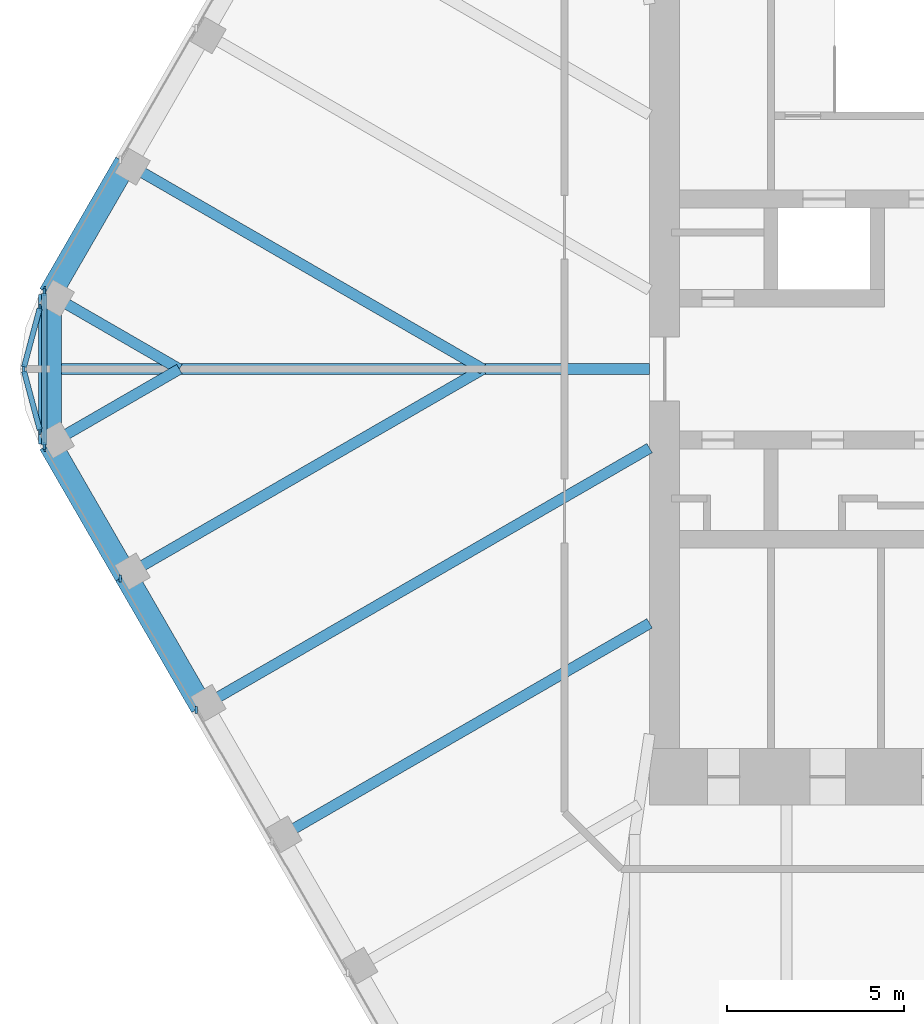
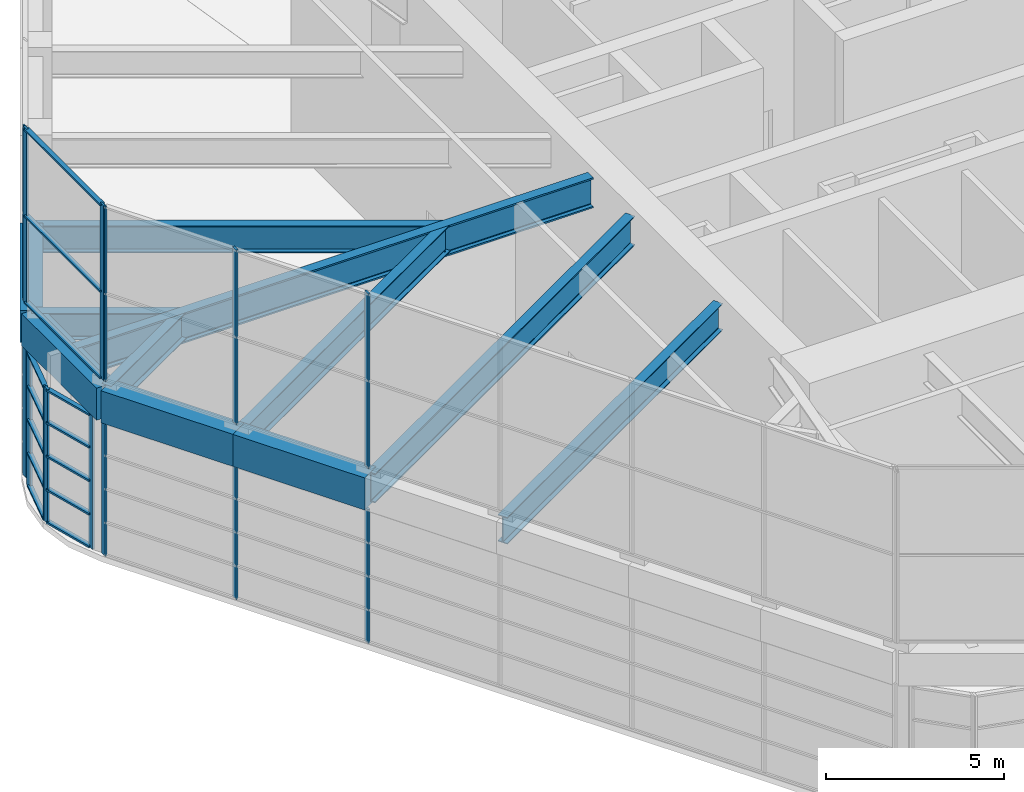
# One storey, part 4 of 17: 27 members, 11 beams, 7 elements without a shape of their own.
"""IFC4 building model written with IfcOpenShell, lengths in metres."""

import ifcopenshell
import ifcopenshell.guid

model = None  # the IFC model being written
_history = None  # IfcOwnerHistory: only IFC2X3 demands one
_inside = {}  # id of a spatial element -> (the spatial element, [elements in it])
_under = {}  # id of a project, library or spatial element -> (it, [spatial elements below it])
_declared = {}  # id of a project -> (the project, [libraries it declares])
_typed = {}  # id of a type object -> (the type object, [elements of that type])
_made_of = {}  # id of a material, layer set ... -> (it, [elements and type objects made of it])


def new_model(schema):
    """Start an empty IFC model of exactly this schema.

    Asked for "IFC4X3", IfcOpenShell would pick the latest addendum, in which some entities
    have other attributes; the version numbers below select the first issue.
    IFC2X3 requires an IfcOwnerHistory on every rooted entity: one is made here for all.
    """
    global model, _history
    if schema == "IFC4X3":
        model = ifcopenshell.file(schema_version=(4, 3, 0, 0))
    else:
        model = ifcopenshell.file(schema=schema)
    _inside.clear()
    _under.clear()
    _declared.clear()
    _typed.clear()
    _made_of.clear()
    _history = None
    if model.schema == "IFC2X3":
        org = make("IfcOrganization", Name="unknown")
        user = make(
            "IfcPersonAndOrganization",
            ThePerson=make("IfcPerson", FamilyName="unknown"),
            TheOrganization=org,
        )
        app = make(
            "IfcApplication",
            ApplicationDeveloper=org,
            Version="unknown",
            ApplicationFullName="unknown",
            ApplicationIdentifier="unknown",
        )
        _history = make(
            "IfcOwnerHistory",
            OwningUser=user,
            OwningApplication=app,
            ChangeAction="ADDED",
            CreationDate=0,
        )
    return model


def make(cls, **values):
    """One entity of the class cls with the attributes given. An attribute that is None is left unset."""
    return model.create_entity(
        cls, **{name: value for name, value in values.items() if value is not None}
    )


def rooted(cls, **values):
    """An entity with a GlobalId (a new one), such as an element, a storey or a relation."""
    return make(cls, GlobalId=ifcopenshell.guid.new(), OwnerHistory=_history, **values)


def si_unit(unit_type, name, prefix=None):
    """IfcSIUnit, for example si_unit("LENGTHUNIT", "METRE", prefix="MILLI")."""
    return make("IfcSIUnit", UnitType=unit_type, Prefix=prefix, Name=name)


def assignment(units):
    """IfcUnitAssignment: the units of a project."""
    return None if units is None else make("IfcUnitAssignment", Units=units)


def point(xyz):
    """IfcCartesianPoint."""
    return None if xyz is None else make("IfcCartesianPoint", Coordinates=xyz)


def direction(xyz):
    """IfcDirection."""
    return None if xyz is None else make("IfcDirection", DirectionRatios=xyz)


def frame(location, z_axis=None, x_axis=None):
    """IfcAxis2Placement3D, a coordinate frame: its origin and axes. An axis left out is left unset."""
    return make(
        "IfcAxis2Placement3D",
        Location=point(location),
        Axis=direction(z_axis),
        RefDirection=direction(x_axis),
    )


def frame_2d(location, x_axis=None):
    """IfcAxis2Placement2D, a coordinate frame in the plane: its origin and x axis."""
    return make(
        "IfcAxis2Placement2D", Location=point(location), RefDirection=direction(x_axis)
    )


def origin():
    """The frame at (0, 0, 0) with its axes left unset."""
    return frame((0.0, 0.0, 0.0))


def origin_2d():
    """The frame at (0, 0) in the plane with its x axis left unset."""
    return frame_2d((0.0, 0.0))


def place(relative_to, where):
    """IfcLocalPlacement: puts the frame where relative to a parent placement (None: the world)."""
    return make(
        "IfcLocalPlacement", PlacementRelTo=relative_to, RelativePlacement=where
    )


def context(
    kind, dimensions, precision=None, world=None, true_north=None, identifier=None
):
    """IfcGeometricRepresentationContext, for example the 3D "Model" context."""
    return make(
        "IfcGeometricRepresentationContext",
        ContextIdentifier=identifier,
        ContextType=kind,
        CoordinateSpaceDimension=dimensions,
        Precision=precision,
        WorldCoordinateSystem=world,
        TrueNorth=true_north,
    )


def subcontext(parent, identifier, kind, view, scale=None):
    """IfcGeometricRepresentationSubContext, for example "Body" below "Model"."""
    return make(
        "IfcGeometricRepresentationSubContext",
        ContextIdentifier=identifier,
        ContextType=kind,
        ParentContext=parent,
        TargetScale=scale,
        TargetView=view,
    )


def project(units=None, contexts=None):
    """IfcProject with its units and contexts."""
    return rooted(
        "IfcProject",
        Name="project",
        RepresentationContexts=contexts,
        UnitsInContext=assignment(units),
    )


def spatial(cls, under=None, at=None, **own):
    """A site, building, storey or space (cls), placed at a placement, below another one or the project."""
    s = rooted(cls, ObjectPlacement=at, **own)
    if under is not None:
        _under.setdefault(under.id(), (under, []))[1].append(s)
    return s


def profile(cls, at=None, kind="AREA", **sizes):
    """A parametric profile (cls). Its sizes go by their IFC names, for example OverallWidth=200.0."""
    return make(cls, ProfileType=kind, Position=at, **sizes)


def rectangle(**sizes):
    """IfcRectangleProfileDef."""
    return profile("IfcRectangleProfileDef", **sizes)


def i_section(**sizes):
    """IfcIShapeProfileDef."""
    return profile("IfcIShapeProfileDef", **sizes)


def extrude(swept, where, along, depth):
    """IfcExtrudedAreaSolid: the profile swept, set in the frame where, extruded along a direction by depth."""
    return make(
        "IfcExtrudedAreaSolid",
        SweptArea=swept,
        Position=where,
        ExtrudedDirection=direction(along),
        Depth=depth,
    )


def shape(context_of_items, identifier, shape_type, items):
    """IfcShapeRepresentation: the items that make up one representation, for example the "Body"."""
    return make(
        "IfcShapeRepresentation",
        ContextOfItems=context_of_items,
        RepresentationIdentifier=identifier,
        RepresentationType=shape_type,
        Items=items,
    )


def material(Name=None, Category=None):
    """IfcMaterial."""
    return make("IfcMaterial", Name=Name, Category=Category)


def material_profile(
    of_material, cross_section, Name=None, Category=None, Priority=None
):
    """IfcMaterialProfile: a cross section and its material."""
    return make(
        "IfcMaterialProfile",
        Name=Name,
        Material=of_material,
        Profile=cross_section,
        Priority=Priority,
        Category=Category,
    )


def profile_set(profiles, Name=None, composite=None):
    """IfcMaterialProfileSet."""
    return make(
        "IfcMaterialProfileSet",
        Name=Name,
        MaterialProfiles=profiles,
        CompositeProfile=composite,
    )


def made_of(thing, what):
    """Note that an element or type object is made of a material, layer set ...; save() writes the relation."""
    if what is not None:
        _made_of.setdefault(what.id(), (what, []))[1].append(thing)
    return thing


def type_object(cls, material=None, **own):
    """A type object (cls), such as IfcWallType, which elements share."""
    return made_of(rooted(cls, **own), material)


def element(
    cls,
    number,
    at=None,
    inside=None,
    cuts=None,
    type_object=None,
    material=None,
    context=None,
    identifier="Body",
    shape_type=None,
    held_by="IfcProductDefinitionShape",
    body=None,
    shapes=None,
    **own,
):
    """One element of the class cls, such as IfcWall. Its Tag is "e" and its number.

    at: its placement. inside: the storey or other place that contains it. cuts: it is an
    opening in that element (IfcRelVoidsElement). A single representation is given by context,
    identifier, shape_type and body (its items); several are given by shapes. held_by: the class
    of the entity that holds the representations. save() writes the other relations.
    """
    e = rooted(cls, Tag="e%d" % number, ObjectPlacement=at, **own)
    if body is not None:
        shapes = [shape(context, identifier, shape_type, body)]
    if shapes is not None:
        e.Representation = make(held_by, Representations=shapes)
    if inside is not None:
        _inside.setdefault(inside.id(), (inside, []))[1].append(e)
    if cuts is not None:
        rooted(
            "IfcRelVoidsElement", RelatingBuildingElement=cuts, RelatedOpeningElement=e
        )
    if type_object is not None:
        _typed.setdefault(type_object.id(), (type_object, []))[1].append(e)
    return made_of(e, material)


def aggregate(whole, parts):
    """IfcRelAggregates: a whole, such as a stair, and the parts it consists of."""
    return rooted("IfcRelAggregates", RelatingObject=whole, RelatedObjects=parts)


def save(model, path):
    """Write the relations noted so far, then the file.

    IfcRelAggregates (storeys below a building ...), IfcRelContainedInSpatialStructure (elements
    in a storey), IfcRelDefinesByType, IfcRelAssociatesMaterial and IfcRelDeclares: one each for
    every whole, place, type object, material and project.
    """
    for whole, parts in _under.values():
        aggregate(whole, parts)
    for where, things in _inside.values():
        rooted(
            "IfcRelContainedInSpatialStructure",
            RelatedElements=things,
            RelatingStructure=where,
        )
    for kind, things in _typed.values():
        rooted("IfcRelDefinesByType", RelatedObjects=things, RelatingType=kind)
    for what, things in _made_of.values():
        rooted("IfcRelAssociatesMaterial", RelatedObjects=things, RelatingMaterial=what)
    for by, libraries in _declared.values():
        rooted("IfcRelDeclares", RelatingContext=by, RelatedDefinitions=libraries)
    model.write(path)


model = new_model("IFC4")

# Units and contexts
model_context = context("Model", 3, precision=1e-05, world=origin(), true_north=direction((0.0, 1.0)))
body_context = subcontext(model_context, "Body", "Model", "MODEL_VIEW")
ifc_project = project(units=[si_unit("LENGTHUNIT", "METRE"), si_unit("AREAUNIT", "SQUARE_METRE"), si_unit("VOLUMEUNIT", "CUBIC_METRE"), si_unit("PLANEANGLEUNIT", "RADIAN"), si_unit("MASSUNIT", "GRAM", prefix="KILO")], contexts=[model_context])

# Site, building, storey
site_placement = place(None, origin())
site = spatial("IfcSite", under=ifc_project, at=site_placement, CompositionType="ELEMENT")
building_placement = place(site_placement, origin())
building = spatial("IfcBuilding", under=site, at=building_placement, Name="Tarfa Lantern Tower", CompositionType="ELEMENT")
storey_placement = place(building_placement, frame((0.0, 0.0, 402.300048828125)))
storey = spatial("IfcBuildingStorey", under=building, at=storey_placement, Name="L91", CompositionType="ELEMENT", Elevation=402.300048828125)

# Curtain wall, members
ifc_material_1 = material(Name="Aluminium framed curtain wall", Category="aluminium")
curtain_wall_type_1 = type_object("IfcCurtainWallType", Name="CW8 LANTERN GLAZING 4600", PredefinedType="USERDEFINED", material=ifc_material_1)
curtain_wall_1_placement = place(storey_placement, origin())
curtain_wall_1 = element("IfcCurtainWall", 1, at=curtain_wall_1_placement, inside=storey, type_object=curtain_wall_type_1, Name="CW8 NWSW1 L91", ObjectType="CURTAIN WALL", PredefinedType="USERDEFINED")
ifc_material_2 = material(Name="Aluminium mullion", Category="aluminium")
ifc_material_profile_1 = material_profile(ifc_material_2, rectangle(XDim=0.06494140625, YDim=0.199951171875, at=origin_2d()), Name="AL MULLION 65x200")
ifc_profile_set_1 = profile_set([ifc_material_profile_1], Name="Aluminium mullion")
member_type_1 = type_object("IfcMemberType", Name="CWM1 MULLION 65x200", PredefinedType="MULLION", material=ifc_profile_set_1)
member_1_placement = place(storey_placement, frame((-29.625244140625, 1.74267578125, 0.0), z_axis=(0.0, 0.0, 1.0), x_axis=(1.0, 0.0, 0.0)))
member_1 = element("IfcMember", 2, at=member_1_placement, type_object=member_type_1, Name="CW8 mullion 1", PredefinedType="MULLION", context=body_context, shape_type="SweptSolid", body=[
    extrude(rectangle(XDim=0.06494140625, YDim=0.199951171875, at=origin_2d()), origin(), (0.0, 0.0, 1.0), 4.599853515625),
])
member_2_placement = place(storey_placement, frame((-30.083740234375, 0.031494140625, 0.0), z_axis=(0.0, 0.0, 1.0), x_axis=(1.0, 0.0, 0.0)))
member_2 = element("IfcMember", 3, at=member_2_placement, type_object=member_type_1, Name="CW8 mullion 2", PredefinedType="MULLION", context=body_context, shape_type="SweptSolid", body=[
    extrude(rectangle(XDim=0.06494140625, YDim=0.199951171875, at=origin_2d()), origin(), (0.0, 0.0, 1.0), 4.599853515625),
])

curtain_wall_2_placement = place(storey_placement, origin())
curtain_wall_2 = element("IfcCurtainWall", 4, at=curtain_wall_2_placement, inside=storey, type_object=curtain_wall_type_1, Name="CW8 NWSW2 L91", ObjectType="CURTAIN WALL", PredefinedType="USERDEFINED")
member_3_placement = place(storey_placement, frame((-30.083740234375, -0.031494140625, 0.0), z_axis=(0.0, 0.0, 1.0), x_axis=(1.0, 0.0, 0.0)))
member_3 = element("IfcMember", 5, at=member_3_placement, type_object=member_type_1, Name="CW8 mullion 1", PredefinedType="MULLION", context=body_context, shape_type="SweptSolid", body=[
    extrude(rectangle(XDim=0.06494140625, YDim=0.199951171875, at=origin_2d()), origin(), (0.0, 0.0, 1.0), 4.599853515625),
])
member_4_placement = place(storey_placement, frame((-29.625244140625, -1.74267578125, 0.0), z_axis=(0.0, 0.0, 1.0), x_axis=(1.0, 0.0, 0.0)))
member_4 = element("IfcMember", 6, at=member_4_placement, type_object=member_type_1, Name="CW8 mullion 2", PredefinedType="MULLION", context=body_context, shape_type="SweptSolid", body=[
    extrude(rectangle(XDim=0.06494140625, YDim=0.199951171875, at=origin_2d()), origin(), (0.0, 0.0, 1.0), 4.599853515625),
])

# Curtain wall, member
curtain_wall_3_placement = place(storey_placement, origin())
curtain_wall_3 = element("IfcCurtainWall", 7, at=curtain_wall_3_placement, inside=storey, type_object=curtain_wall_type_1, Name="CW8 NW L91", ObjectType="CURTAIN WALL", PredefinedType="USERDEFINED")
member_5_placement = place(storey_placement, frame((-29.486328125, 2.22802734375, 0.0), z_axis=(0.0, 0.0, 1.0), x_axis=(1.0, 0.0, 0.0)))
member_5 = element("IfcMember", 8, at=member_5_placement, type_object=member_type_1, Name="CW8 mullion 7", PredefinedType="MULLION", context=body_context, shape_type="SweptSolid", body=[
    extrude(rectangle(XDim=0.06494140625, YDim=0.199951171875, at=origin_2d()), origin(), (0.0, 0.0, 1.0), 4.599853515625),
])
aggregate(curtain_wall_3, [member_5])

# Curtain wall, members
curtain_wall_4_placement = place(storey_placement, origin())
curtain_wall_4 = element("IfcCurtainWall", 9, at=curtain_wall_4_placement, inside=storey, type_object=curtain_wall_type_1, Name="CW8 SW L91", ObjectType="CURTAIN WALL", PredefinedType="USERDEFINED")
member_6_placement = place(storey_placement, frame((-29.486328125, -2.22802734375, 0.0), z_axis=(0.0, 0.0, 1.0), x_axis=(1.0, 0.0, 0.0)))
member_6 = element("IfcMember", 10, at=member_6_placement, type_object=member_type_1, Name="CW8 mullion 1", PredefinedType="MULLION", context=body_context, shape_type="SweptSolid", body=[
    extrude(rectangle(XDim=0.06494140625, YDim=0.199951171875, at=origin_2d()), origin(), (0.0, 0.0, 1.0), 4.599853515625),
])
member_7_placement = place(storey_placement, frame((-27.361572265625, -5.908447265625, 0.0), z_axis=(0.0, 0.0, 1.0), x_axis=(1.0, 0.0, 0.0)))
member_7 = element("IfcMember", 11, at=member_7_placement, type_object=member_type_1, Name="CW8 mullion 2", PredefinedType="MULLION", context=body_context, shape_type="SweptSolid", body=[
    extrude(rectangle(XDim=0.06494140625, YDim=0.199951171875, at=origin_2d()), origin(), (0.0, 0.0, 1.0), 4.599853515625),
])
member_8_placement = place(storey_placement, frame((-25.220703125, -9.61669921875, 0.0), z_axis=(0.0, 0.0, 1.0), x_axis=(1.0, 0.0, 0.0)))
member_8 = element("IfcMember", 12, at=member_8_placement, type_object=member_type_1, Name="CW8 mullion 3", PredefinedType="MULLION", context=body_context, shape_type="SweptSolid", body=[
    extrude(rectangle(XDim=0.06494140625, YDim=0.199951171875, at=origin_2d()), origin(), (0.0, 0.0, 1.0), 4.599853515625),
])
aggregate(curtain_wall_4, [member_6, member_7, member_8])

# Curtain wall, member
curtain_wall_type_2 = type_object("IfcCurtainWallType", Name="CW9 CROWN SCREEN GLAZING 6000", PredefinedType="USERDEFINED", material=ifc_material_1)
curtain_wall_5_placement = place(storey_placement, origin())
curtain_wall_5 = element("IfcCurtainWall", 13, at=curtain_wall_5_placement, inside=storey, type_object=curtain_wall_type_2, Name="CW9 NW L91", ObjectType="CURTAIN WALL", PredefinedType="USERDEFINED")
member_9_placement = place(storey_placement, frame((-29.486328125, 2.22802734375, 6.0), z_axis=(0.0, 0.0, 1.0), x_axis=(1.0, 0.0, 0.0)))
member_9 = element("IfcMember", 14, at=member_9_placement, type_object=member_type_1, Name="CW9 mullion 7", PredefinedType="MULLION", context=body_context, shape_type="SweptSolid", body=[
    extrude(rectangle(XDim=0.06494140625, YDim=0.199951171875, at=origin_2d()), origin(), (0.0, 0.0, 1.0), 6.0),
])
aggregate(curtain_wall_5, [member_9])

# Curtain wall, members
curtain_wall_6_placement = place(storey_placement, origin())
curtain_wall_6 = element("IfcCurtainWall", 15, at=curtain_wall_6_placement, inside=storey, type_object=curtain_wall_type_2, Name="CW9 SW L91", ObjectType="CURTAIN WALL", PredefinedType="USERDEFINED")
member_10_placement = place(storey_placement, frame((-29.486328125, -2.22802734375, 6.0), z_axis=(0.0, 0.0, 1.0), x_axis=(1.0, 0.0, 0.0)))
member_10 = element("IfcMember", 16, at=member_10_placement, type_object=member_type_1, Name="CW9 mullion 1", PredefinedType="MULLION", context=body_context, shape_type="SweptSolid", body=[
    extrude(rectangle(XDim=0.06494140625, YDim=0.199951171875, at=origin_2d()), origin(), (0.0, 0.0, 1.0), 6.0),
])
member_11_placement = place(storey_placement, frame((-27.361572265625, -5.908447265625, 6.0), z_axis=(0.0, 0.0, 1.0), x_axis=(1.0, 0.0, 0.0)))
member_11 = element("IfcMember", 17, at=member_11_placement, type_object=member_type_1, Name="CW9 mullion 2", PredefinedType="MULLION", context=body_context, shape_type="SweptSolid", body=[
    extrude(rectangle(XDim=0.06494140625, YDim=0.199951171875, at=origin_2d()), origin(), (0.0, 0.0, 1.0), 6.0),
])
member_12_placement = place(storey_placement, frame((-25.220703125, -9.61669921875, 6.0), z_axis=(0.0, 0.0, 1.0), x_axis=(1.0, 0.0, 0.0)))
member_12 = element("IfcMember", 18, at=member_12_placement, type_object=member_type_1, Name="CW9 mullion 3", PredefinedType="MULLION", context=body_context, shape_type="SweptSolid", body=[
    extrude(rectangle(XDim=0.06494140625, YDim=0.199951171875, at=origin_2d()), origin(), (0.0, 0.0, 1.0), 6.0),
])
aggregate(curtain_wall_6, [member_10, member_11, member_12])

curtain_wall_7_placement = place(storey_placement, origin())
curtain_wall_7 = element("IfcCurtainWall", 19, at=curtain_wall_7_placement, inside=storey, type_object=curtain_wall_type_2, Name="CW9 NWSW L91", ObjectType="CURTAIN WALL", PredefinedType="USERDEFINED")
member_13_placement = place(storey_placement, frame((-29.502685546875, 2.16748046875, 6.0), z_axis=(0.0, 0.0, 1.0), x_axis=(1.0, 0.0, 0.0)))
member_13 = element("IfcMember", 20, at=member_13_placement, type_object=member_type_1, Name="CW9 mullion 1", PredefinedType="MULLION", context=body_context, shape_type="SweptSolid", body=[
    extrude(rectangle(XDim=0.06494140625, YDim=0.199951171875, at=origin_2d()), origin(), (0.0, 0.0, 1.0), 6.0),
])
member_14_placement = place(storey_placement, frame((-29.502685546875, -2.16748046875, 6.0), z_axis=(0.0, 0.0, 1.0), x_axis=(1.0, 0.0, 0.0)))
member_14 = element("IfcMember", 21, at=member_14_placement, type_object=member_type_1, Name="CW9 mullion 2", PredefinedType="MULLION", context=body_context, shape_type="SweptSolid", body=[
    extrude(rectangle(XDim=0.06494140625, YDim=0.199951171875, at=origin_2d()), origin(), (0.0, 0.0, 1.0), 6.0),
])

# Member
ifc_material_3 = material(Name="Aluminium transom", Category="aluminium")
ifc_material_profile_2 = material_profile(ifc_material_3, rectangle(XDim=0.14990234375, YDim=0.06494140625, at=origin_2d()), Name="AL TRANSOM 150x65")
ifc_profile_set_2 = profile_set([ifc_material_profile_2], Name="Aluminium transom")
member_type_2 = type_object("IfcMemberType", Name="CWT1 TRANSOM 150x65", PredefinedType="USERDEFINED", material=ifc_profile_set_2)
member_15_placement = place(storey_placement, frame((-29.633544921875, 1.71142578125, 0.032470703125), z_axis=(-0.258757534625, -0.965942305873, 0.0), x_axis=(0.965942305873, -0.258757534625, 0.0)))
member_15 = element("IfcMember", 22, at=member_15_placement, type_object=member_type_2, Name="CW8 transom 1.1", ObjectType="TRANSOM", PredefinedType="USERDEFINED", context=body_context, shape_type="SweptSolid", body=[
    extrude(rectangle(XDim=0.14990234375, YDim=0.06494140625, at=origin_2d()), origin(), (0.0, 0.0, 1.0), 1.706787109375),
])

member_16_placement = place(storey_placement, frame((-29.633544921875, 1.71142578125, 1.14990234375), z_axis=(-0.258757534625, -0.965942305873, 0.0), x_axis=(0.965942305873, -0.258757534625, 0.0)))
member_16 = element("IfcMember", 23, at=member_16_placement, type_object=member_type_2, Name="CW8 transom 1.2", ObjectType="TRANSOM", PredefinedType="USERDEFINED", context=body_context, shape_type="SweptSolid", body=[
    extrude(rectangle(XDim=0.14990234375, YDim=0.06494140625, at=origin_2d()), origin(), (0.0, 0.0, 1.0), 1.706787109375),
])

member_17_placement = place(storey_placement, frame((-29.633544921875, 1.71142578125, 2.300048828125), z_axis=(-0.258757534625, -0.965942305873, 0.0), x_axis=(0.965942305873, -0.258757534625, 0.0)))
member_17 = element("IfcMember", 24, at=member_17_placement, type_object=member_type_2, Name="CW8 transom 1.3", ObjectType="TRANSOM", PredefinedType="USERDEFINED", context=body_context, shape_type="SweptSolid", body=[
    extrude(rectangle(XDim=0.14990234375, YDim=0.06494140625, at=origin_2d()), origin(), (0.0, 0.0, 1.0), 1.706787109375),
])

member_18_placement = place(storey_placement, frame((-29.633544921875, 1.71142578125, 3.449951171875), z_axis=(-0.258757534625, -0.965942305873, 0.0), x_axis=(0.965942305873, -0.258757534625, 0.0)))
member_18 = element("IfcMember", 25, at=member_18_placement, type_object=member_type_2, Name="CW8 transom 1.4", ObjectType="TRANSOM", PredefinedType="USERDEFINED", context=body_context, shape_type="SweptSolid", body=[
    extrude(rectangle(XDim=0.14990234375, YDim=0.06494140625, at=origin_2d()), origin(), (0.0, 0.0, 1.0), 1.706787109375),
])

member_19_placement = place(storey_placement, frame((-29.633544921875, 1.71142578125, 4.5673828125), z_axis=(-0.258757534625, -0.965942305873, 0.0), x_axis=(0.965942305873, -0.258757534625, 0.0)))
member_19 = element("IfcMember", 26, at=member_19_placement, type_object=member_type_2, Name="CW8 transom 1.5", ObjectType="TRANSOM", PredefinedType="USERDEFINED", context=body_context, shape_type="SweptSolid", body=[
    extrude(rectangle(XDim=0.14990234375, YDim=0.06494140625, at=origin_2d()), origin(), (0.0, 0.0, 1.0), 1.706787109375),
])

aggregate(curtain_wall_1, [member_1, member_2, member_15, member_16, member_17, member_18, member_19])

member_20_placement = place(storey_placement, frame((-30.0751953125, -0.062744140625, 0.032470703125), z_axis=(0.258757534625, -0.965942305873, 0.0), x_axis=(0.965942305873, 0.258757534625, 0.0)))
member_20 = element("IfcMember", 27, at=member_20_placement, type_object=member_type_2, Name="CW8 transom 1.1", ObjectType="TRANSOM", PredefinedType="USERDEFINED", context=body_context, shape_type="SweptSolid", body=[
    extrude(rectangle(XDim=0.14990234375, YDim=0.06494140625, at=origin_2d()), origin(), (0.0, 0.0, 1.0), 1.706787109375),
])

member_21_placement = place(storey_placement, frame((-30.0751953125, -0.062744140625, 1.14990234375), z_axis=(0.258757534625, -0.965942305873, 0.0), x_axis=(0.965942305873, 0.258757534625, 0.0)))
member_21 = element("IfcMember", 28, at=member_21_placement, type_object=member_type_2, Name="CW8 transom 1.2", ObjectType="TRANSOM", PredefinedType="USERDEFINED", context=body_context, shape_type="SweptSolid", body=[
    extrude(rectangle(XDim=0.14990234375, YDim=0.06494140625, at=origin_2d()), origin(), (0.0, 0.0, 1.0), 1.706787109375),
])

member_22_placement = place(storey_placement, frame((-30.0751953125, -0.062744140625, 2.300048828125), z_axis=(0.258757534625, -0.965942305873, 0.0), x_axis=(0.965942305873, 0.258757534625, 0.0)))
member_22 = element("IfcMember", 29, at=member_22_placement, type_object=member_type_2, Name="CW8 transom 1.3", ObjectType="TRANSOM", PredefinedType="USERDEFINED", context=body_context, shape_type="SweptSolid", body=[
    extrude(rectangle(XDim=0.14990234375, YDim=0.06494140625, at=origin_2d()), origin(), (0.0, 0.0, 1.0), 1.706787109375),
])

member_23_placement = place(storey_placement, frame((-30.0751953125, -0.062744140625, 3.449951171875), z_axis=(0.258757534625, -0.965942305873, 0.0), x_axis=(0.965942305873, 0.258757534625, 0.0)))
member_23 = element("IfcMember", 30, at=member_23_placement, type_object=member_type_2, Name="CW8 transom 1.4", ObjectType="TRANSOM", PredefinedType="USERDEFINED", context=body_context, shape_type="SweptSolid", body=[
    extrude(rectangle(XDim=0.14990234375, YDim=0.06494140625, at=origin_2d()), origin(), (0.0, 0.0, 1.0), 1.706787109375),
])

member_24_placement = place(storey_placement, frame((-30.0751953125, -0.062744140625, 4.5673828125), z_axis=(0.258757534625, -0.965942305873, 0.0), x_axis=(0.965942305873, 0.258757534625, 0.0)))
member_24 = element("IfcMember", 31, at=member_24_placement, type_object=member_type_2, Name="CW8 transom 1.5", ObjectType="TRANSOM", PredefinedType="USERDEFINED", context=body_context, shape_type="SweptSolid", body=[
    extrude(rectangle(XDim=0.14990234375, YDim=0.06494140625, at=origin_2d()), origin(), (0.0, 0.0, 1.0), 1.706787109375),
])

aggregate(curtain_wall_2, [member_3, member_4, member_20, member_21, member_22, member_23, member_24])

member_25_placement = place(storey_placement, frame((-29.502685546875, 2.135009765625, 6.032470703125), z_axis=(0.0, -1.0, 0.0), x_axis=(1.0, 0.0, 0.0)))
member_25 = element("IfcMember", 32, at=member_25_placement, type_object=member_type_2, Name="CW9 transom 1.1", ObjectType="TRANSOM", PredefinedType="USERDEFINED", context=body_context, shape_type="SweptSolid", body=[
    extrude(rectangle(XDim=0.14990234375, YDim=0.06494140625, at=origin_2d()), origin(), (0.0, 0.0, 1.0), 4.27001953125),
])

member_26_placement = place(storey_placement, frame((-29.502685546875, 2.135009765625, 9.0), z_axis=(0.0, -1.0, 0.0), x_axis=(1.0, 0.0, 0.0)))
member_26 = element("IfcMember", 33, at=member_26_placement, type_object=member_type_2, Name="CW9 transom 1.2", ObjectType="TRANSOM", PredefinedType="USERDEFINED", context=body_context, shape_type="SweptSolid", body=[
    extrude(rectangle(XDim=0.14990234375, YDim=0.06494140625, at=origin_2d()), origin(), (0.0, 0.0, 1.0), 4.27001953125),
])

member_27_placement = place(storey_placement, frame((-29.502685546875, 2.135009765625, 11.967529296875), z_axis=(0.0, -1.0, 0.0), x_axis=(1.0, 0.0, 0.0)))
member_27 = element("IfcMember", 34, at=member_27_placement, type_object=member_type_2, Name="CW9 transom 1.3", ObjectType="TRANSOM", PredefinedType="USERDEFINED", context=body_context, shape_type="SweptSolid", body=[
    extrude(rectangle(XDim=0.14990234375, YDim=0.06494140625, at=origin_2d()), origin(), (0.0, 0.0, 1.0), 4.27001953125),
])

aggregate(curtain_wall_7, [member_13, member_14, member_25, member_26, member_27])

# Beams
ifc_material_4 = material(Name="Concrete C80/95", Category="concrete")
ifc_material_profile_3 = material_profile(ifc_material_4, rectangle(XDim=0.64990234375, YDim=1.10009765625, at=origin_2d()), Name="RC 650x1100")
ifc_profile_set_3 = profile_set([ifc_material_profile_3], Name="Concrete C80/95")
beam_type_1 = type_object("IfcBeamType", Name="EB4 RC 650x1100", PredefinedType="SPANDREL", material=ifc_profile_set_3)
beam_1_placement = place(storey_placement, frame((-27.205810546875, 5.818359375, 5.14990234375), z_axis=(-0.499984039138, -0.866034618596, 0.0), x_axis=(0.866034618596, -0.499984039138, 0.0)))
element("IfcBeam", 35, at=beam_1_placement, inside=storey, type_object=beam_type_1, Name="Edge beam NW5", PredefinedType="SPANDREL", context=body_context, shape_type="SweptSolid", body=[
    extrude(rectangle(XDim=0.64990234375, YDim=1.10009765625, at=origin_2d()), origin(), (0.0, 0.0, 1.0), 4.281982421875),
])
beam_2_placement = place(storey_placement, frame((-29.3466796875, 2.110107421875, 5.14990234375), z_axis=(0.0, -1.0, 0.0), x_axis=(1.0, 0.0, 0.0)))
element("IfcBeam", 36, at=beam_2_placement, inside=storey, type_object=beam_type_1, Name="Edge beam NW6", PredefinedType="SPANDREL", context=body_context, shape_type="SweptSolid", body=[
    extrude(rectangle(XDim=0.64990234375, YDim=1.10009765625, at=origin_2d()), origin(), (0.0, 0.0, 1.0), 4.22021484375),
])
for number, where, z_axis, x_axis, name in (
    (37, (-29.3466796875, -2.110107421875, 5.14990234375), (0.499984039138, -0.866034618596, 0.0), (0.866034618596, 0.499984039138, 0.0), "Edge beam SW0"),
    (38, (-27.205810546875, -5.818359375, 5.14990234375), (0.500026801138, -0.866009929587, 0.0), (0.866009929587, 0.500026801138, 0.0), "Edge beam SW1"),
):
    element("IfcBeam", number, at=place(storey_placement, frame(where, z_axis=z_axis, x_axis=x_axis)), inside=storey, type_object=beam_type_1, Name=name, PredefinedType="SPANDREL", context=body_context, shape_type="SweptSolid", body=[
        extrude(rectangle(XDim=0.64990234375, YDim=1.10009765625, at=origin_2d()), origin(), (0.0, 0.0, 1.0), 4.281982421875),
    ])
ifc_material_5 = material(Name="Steel S460M", Category="steel")
ifc_material_profile_4 = material_profile(ifc_material_5, i_section(OverallWidth=0.302001953125, OverallDepth=1.008056640625, WebThickness=0.02099609375, FlangeThickness=0.0400390625, FilletRadius=0.030029296875, at=origin_2d()), Name="UB1016x305x349")
ifc_profile_set_4 = profile_set([ifc_material_profile_4], Name="Steel S460M")
beam_type_2 = type_object("IfcBeamType", Name="UB1016x305x349", PredefinedType="BEAM", material=ifc_profile_set_4)
beam_3_placement = place(storey_placement, frame((-25.064697265625, -9.526611328125, 5.19580078125), z_axis=(0.866029591389, 0.499992746786, 0.0), x_axis=(-0.499992746786, 0.866029591389, 0.0)))
element("IfcBeam", 39, at=beam_3_placement, inside=storey, type_object=beam_type_2, Name="Floor beam SW2", PredefinedType="BEAM", context=body_context, shape_type="SweptSolid", body=[
    extrude(i_section(OverallWidth=0.302001953125, OverallDepth=1.008056640625, WebThickness=0.02099609375, FlangeThickness=0.0400390625, FilletRadius=0.030029296875, at=origin_2d()), origin(), (0.0, 0.0, 1.0), 14.594970703125),
])
ifc_material_profile_5 = material_profile(ifc_material_5, i_section(OverallWidth=0.30859375, OverallDepth=1.036376953125, WebThickness=0.030029296875, FlangeThickness=0.05419921875, FilletRadius=0.030029296875, at=origin_2d()), Name="UB1016x305x487")
ifc_profile_set_5 = profile_set([ifc_material_profile_5], Name="Steel S460M")
beam_type_3 = type_object("IfcBeamType", Name="UB1016x305x487", PredefinedType="BEAM", material=ifc_profile_set_5)
beam_4_placement = place(storey_placement, frame((-12.425048828125, 0.0, 5.181884765625), z_axis=(-1.0, 0.0, 0.0), x_axis=(0.0, -1.0, 0.0)))
element("IfcBeam", 40, at=beam_4_placement, inside=storey, type_object=beam_type_3, Name="Hip girder W", PredefinedType="BEAM", context=body_context, shape_type="SweptSolid", body=[
    extrude(i_section(OverallWidth=0.30859375, OverallDepth=1.036376953125, WebThickness=0.030029296875, FlangeThickness=0.05419921875, FilletRadius=0.030029296875, at=origin_2d()), origin(), (0.0, 0.0, 1.0), 16.921630859375),
])
ifc_material_profile_6 = material_profile(ifc_material_5, i_section(OverallWidth=0.305419921875, OverallDepth=0.91845703125, WebThickness=0.017333984375, FlangeThickness=0.02783203125, FilletRadius=0.01904296875, at=origin_2d()), Name="UB914x305x253")
ifc_profile_set_6 = profile_set([ifc_material_profile_6], Name="Steel S460M")
beam_type_4 = type_object("IfcBeamType", Name="UB914x305x253", PredefinedType="BEAM", material=ifc_profile_set_6)
beam_5_placement = place(storey_placement, frame((-27.205810546875, 5.818359375, 5.24072265625), z_axis=(0.866024171998, -0.500002133511, 0.0), x_axis=(0.500002133511, 0.866024171998, 0.0)))
element("IfcBeam", 41, at=beam_5_placement, inside=storey, type_object=beam_type_4, Name="Floor beam NW5", PredefinedType="BEAM", context=body_context, shape_type="SweptSolid", body=[
    extrude(i_section(OverallWidth=0.305419921875, OverallDepth=0.91845703125, WebThickness=0.017333984375, FlangeThickness=0.02783203125, FilletRadius=0.01904296875, at=origin_2d()), origin(), (0.0, 0.0, 1.0), 11.63671875),
])
for number, where, z_axis, x_axis, name in (
    (42, (-29.3466796875, 2.110107421875, 5.24072265625), (0.866009274789, -0.500027935199, 0.0), (0.500027935199, 0.866009274789, 0.0), "Floor beam NW6"),
    (43, (-29.3466796875, -2.110107421875, 5.24072265625), (0.866009274789, 0.500027935199, 0.0), (-0.500027935199, 0.866009274789, 0.0), "Floor beam SW0"),
):
    element("IfcBeam", number, at=place(storey_placement, frame(where, z_axis=z_axis, x_axis=x_axis)), inside=storey, type_object=beam_type_4, Name=name, PredefinedType="BEAM", context=body_context, shape_type="SweptSolid", body=[
        extrude(i_section(OverallWidth=0.305419921875, OverallDepth=0.91845703125, WebThickness=0.017333984375, FlangeThickness=0.02783203125, FilletRadius=0.01904296875, at=origin_2d()), origin(), (0.0, 0.0, 1.0), 4.219970703125),
    ])
beam_6_placement = place(storey_placement, frame((-27.205810546875, -5.818359375, 5.24072265625), z_axis=(0.866024171998, 0.500002133511, 0.0), x_axis=(-0.500002133511, 0.866024171998, 0.0)))
element("IfcBeam", 44, at=beam_6_placement, inside=storey, type_object=beam_type_4, Name="Floor beam SW1", PredefinedType="BEAM", context=body_context, shape_type="SweptSolid", body=[
    extrude(i_section(OverallWidth=0.305419921875, OverallDepth=0.91845703125, WebThickness=0.017333984375, FlangeThickness=0.02783203125, FilletRadius=0.01904296875, at=origin_2d()), origin(), (0.0, 0.0, 1.0), 11.63671875),
])
beam_7_placement = place(storey_placement, frame((-22.923583984375, -13.235107421875, 5.24072265625), z_axis=(0.86601856927, 0.500011837539, 0.0), x_axis=(-0.500011837539, 0.86601856927, 0.0)))
element("IfcBeam", 45, at=beam_7_placement, inside=storey, type_object=beam_type_4, Name="Floor beam SW3", PredefinedType="BEAM", context=body_context, shape_type="SweptSolid", body=[
    extrude(i_section(OverallWidth=0.305419921875, OverallDepth=0.91845703125, WebThickness=0.017333984375, FlangeThickness=0.02783203125, FilletRadius=0.01904296875, at=origin_2d()), origin(), (0.0, 0.0, 1.0), 12.122802734375),
])

save(model, "model.ifc")
